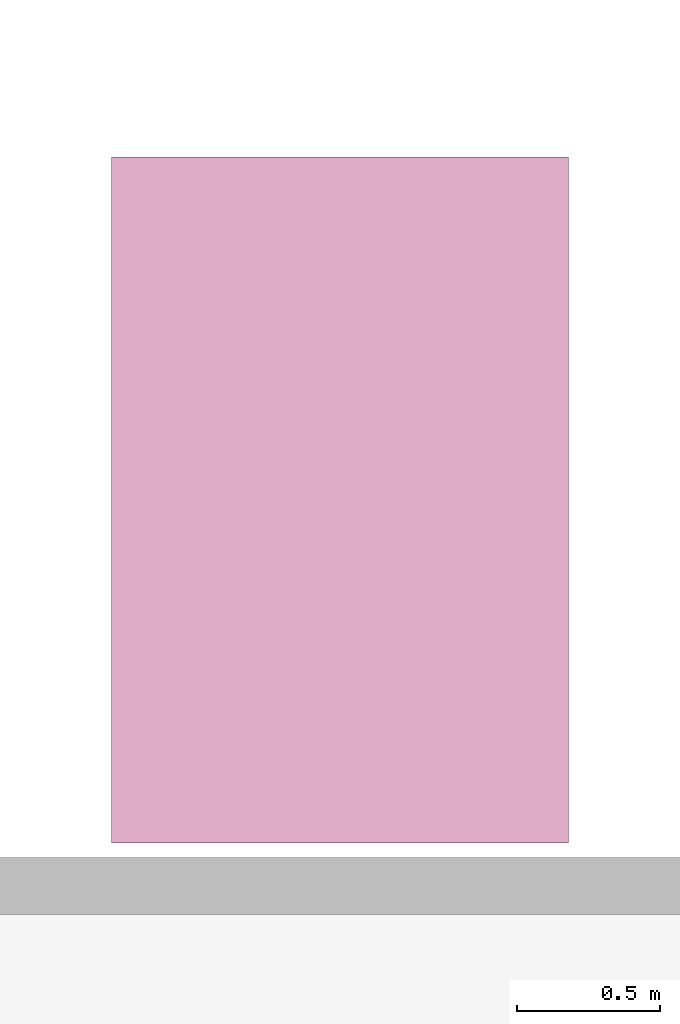
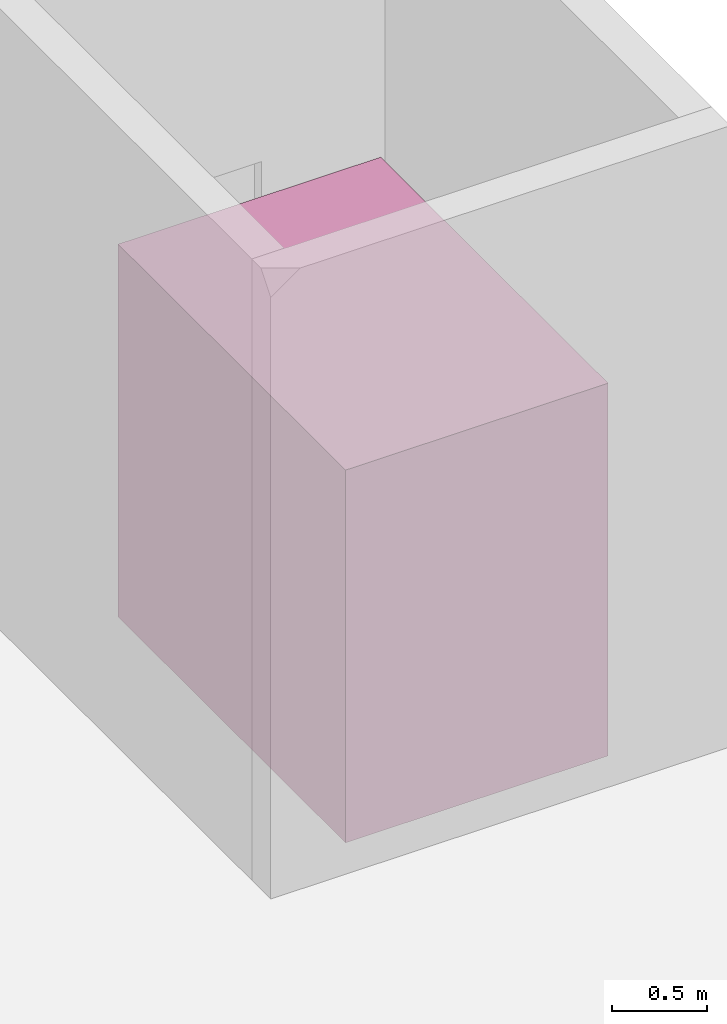
# One storey, part 8 of 8: 1 transport element.
"""IFC4 building model written with IfcOpenShell, lengths in metres."""

from ifc_helpers import new_model, si_unit, direction, frame, origin, origin_2d, place, context, subcontext, project, spatial, rectangle, extrude, source, transform, mapped, material, type_object, element, save


model = new_model("IFC4")

# Units and contexts
model_context = context("Model", 3, precision=1e-05, world=origin(), true_north=direction((0.0, 1.0)))
body_context = subcontext(model_context, "Body", "Model", "MODEL_VIEW")
ifc_project = project(units=[si_unit("LENGTHUNIT", "METRE"), si_unit("AREAUNIT", "SQUARE_METRE"), si_unit("VOLUMEUNIT", "CUBIC_METRE"), si_unit("PLANEANGLEUNIT", "RADIAN"), si_unit("MASSUNIT", "GRAM", prefix="KILO")], contexts=[model_context])

# Site, building, storey
site_placement = place(None, origin())
site = spatial("IfcSite", under=ifc_project, at=site_placement, CompositionType="ELEMENT")
building_placement = place(site_placement, origin())
building = spatial("IfcBuilding", under=site, at=building_placement, Name="Aurelian Terraces", CompositionType="ELEMENT")
storey_placement = place(building_placement, frame((0.0, 0.0, 368.5)))
storey = spatial("IfcBuildingStorey", under=building, at=storey_placement, Name="L88", CompositionType="ELEMENT", Elevation=368.5)

# Transport element
ifc_material = material(Name="Stainless steel panelling", Category="steel")
transport_element_type = type_object("IfcTransportElementType", Name="Lift car SV", PredefinedType="ELEVATOR", material=ifc_material)
shared_shape = source(origin(), body_context, "Body", "SweptSolid", [
    extrude(rectangle(XDim=1.6, YDim=2.4, at=origin_2d()), origin(), (0.0, 0.0, 1.0), 2.4),
])
transport_element_placement = place(storey_placement, frame((47.8, 6.45, 0.0), z_axis=(0.0, 0.0, 1.0), x_axis=(1.0, 0.0, 0.0)))
element("IfcTransportElement", 1, at=transport_element_placement, inside=storey, type_object=transport_element_type, Name="SV1", PredefinedType="ELEVATOR", context=body_context, shape_type="MappedRepresentation", body=[
    mapped(shared_shape, transform((0.0, 0.0, 0.0), scale=1.0)),
])

save(model, "model.ifc")
